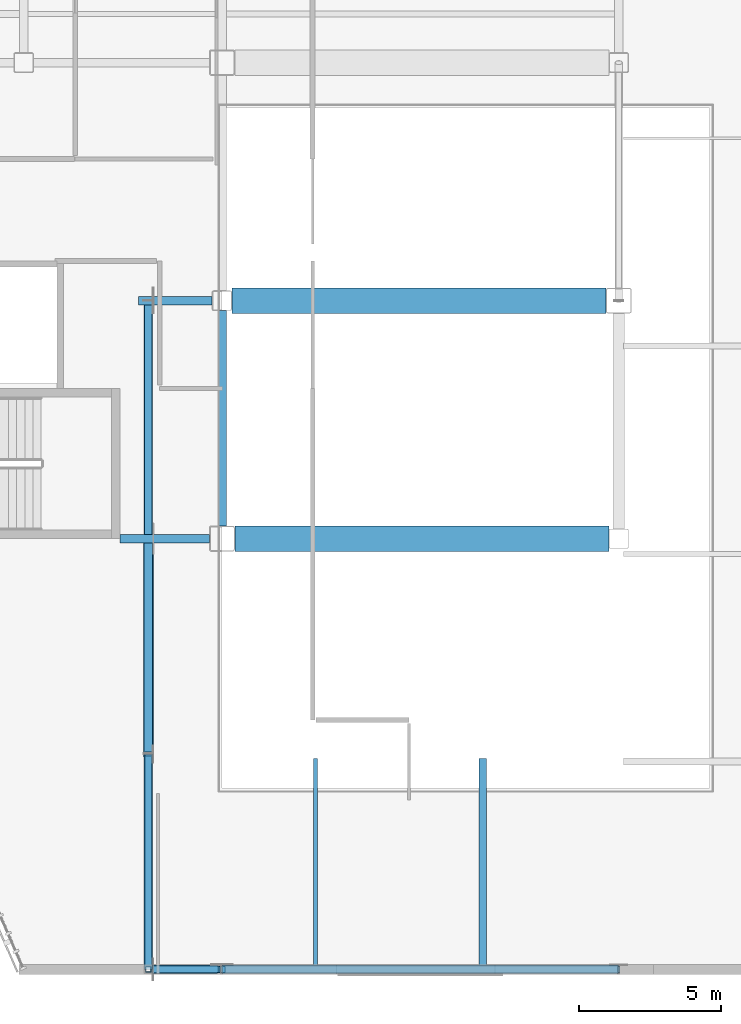
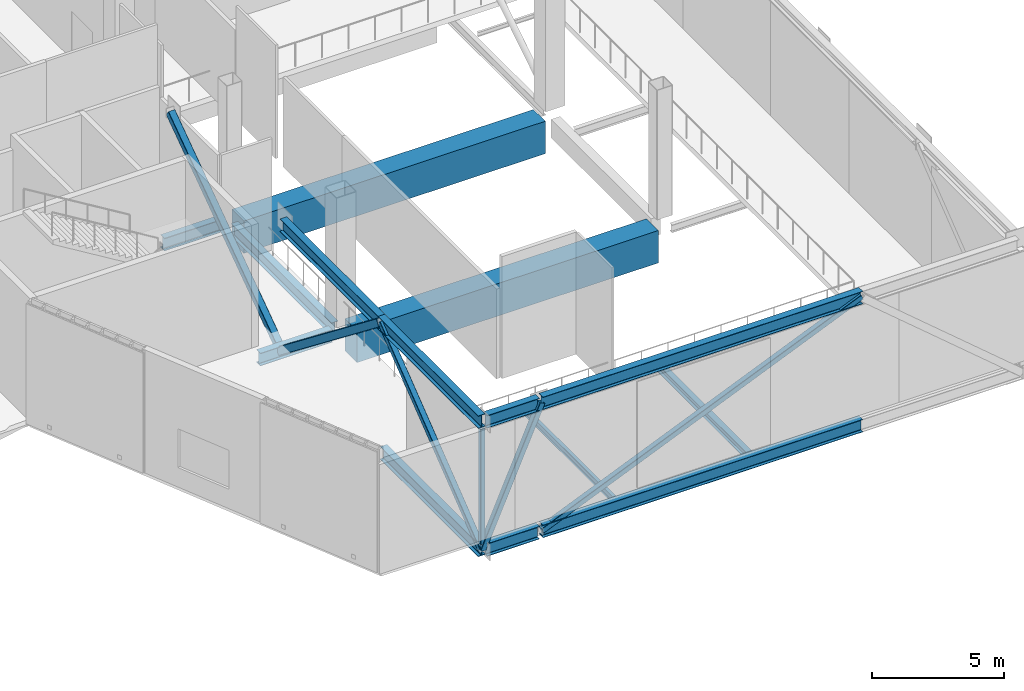
# One storey, part 20 of 135: 14 beams, 6 members.
"""IFC4 building model written with IfcOpenShell, lengths in metres."""

from ifc_helpers import new_model, si_unit, direction, frame, origin, origin_2d, place, context, subcontext, project, spatial, rectangle, hollow_rectangle, i_section, extrude, material, material_profile, profile_set, type_object, element, save


model = new_model("IFC4")

# Units and contexts
model_context = context("Model", 3, precision=1e-05, world=origin(), true_north=direction((0.0, 1.0)))
body_context = subcontext(model_context, "Body", "Model", "MODEL_VIEW")
ifc_project = project(units=[si_unit("LENGTHUNIT", "METRE"), si_unit("AREAUNIT", "SQUARE_METRE"), si_unit("VOLUMEUNIT", "CUBIC_METRE"), si_unit("PLANEANGLEUNIT", "RADIAN"), si_unit("MASSUNIT", "GRAM", prefix="KILO")], contexts=[model_context])

# Site, building, storey
site_placement = place(None, origin())
site = spatial("IfcSite", under=ifc_project, at=site_placement, CompositionType="ELEMENT")
building_placement = place(site_placement, origin())
building = spatial("IfcBuilding", under=site, at=building_placement, Name="Larkvane Passage Sports Hall", CompositionType="ELEMENT")
storey_placement = place(building_placement, frame((0.0, 0.0, 10.800048828125)))
storey = spatial("IfcBuildingStorey", under=building, at=storey_placement, Name="L02", CompositionType="ELEMENT", Elevation=10.800048828125)

# Beams
ifc_material_1 = material(Name="Steel S460N", Category="steel")
ifc_material_profile_1 = material_profile(ifc_material_1, i_section(OverallWidth=0.300048828125, OverallDepth=0.58203125, WebThickness=0.011962890625, FlangeThickness=0.01708984375, FilletRadius=0.02197265625, at=origin_2d()), Name="H-582x300x12x17")
ifc_profile_set_1 = profile_set([ifc_material_profile_1], Name="Steel S460N")
beam_type_1 = type_object("IfcBeamType", Name="BM-STL-H582", PredefinedType="BEAM", material=ifc_profile_set_1)
beam_1_placement = place(storey_placement, frame((131.60009765625, 23.25, -0.7109375), z_axis=(0.0, 1.0, 0.0), x_axis=(-1.0, 0.0, 0.0)))
element("IfcBeam", 1, at=beam_1_placement, inside=storey, type_object=beam_type_1, Name="Girder BM5-Y-L02-18-0785", PredefinedType="BEAM", context=body_context, shape_type="SweptSolid", body=[
    extrude(i_section(OverallWidth=0.300048828125, OverallDepth=0.58203125, WebThickness=0.011962890625, FlangeThickness=0.01708984375, FilletRadius=0.02197265625, at=origin_2d()), origin(), (0.0, 0.0, 1.0), 7.60009765625),
])
ifc_material_profile_2 = material_profile(ifc_material_1, i_section(OverallWidth=0.300048828125, OverallDepth=0.587890625, WebThickness=0.011962890625, FlangeThickness=0.02001953125, FilletRadius=0.02197265625, at=origin_2d()), Name="H-588x300x12x20")
ifc_profile_set_2 = profile_set([ifc_material_profile_2], Name="Steel S460N")
beam_type_2 = type_object("IfcBeamType", Name="BM-STL-H588", PredefinedType="BEAM", material=ifc_profile_set_2)
for number, where, z_axis, x_axis, name in (
    (2, (131.60009765625, 7.60009765625, -0.5439453125), (1.0, 0.0, 0.0), (0.0, 1.0, 0.0), "Cantilever truss CT-E2A-1 bottom chord 1"),
    (3, (131.60009765625, 7.60009765625, 5.385986328125), (1.0, 0.0, 0.0), (0.0, 1.0, 0.0), "Cantilever truss CT-E2A-1 top chord 1"),
):
    element("IfcBeam", number, at=place(storey_placement, frame(where, z_axis=z_axis, x_axis=x_axis)), inside=storey, type_object=beam_type_2, Name=name, PredefinedType="BEAM", context=body_context, shape_type="SweptSolid", body=[
        extrude(i_section(OverallWidth=0.300048828125, OverallDepth=0.587890625, WebThickness=0.011962890625, FlangeThickness=0.02001953125, FilletRadius=0.02197265625, at=origin_2d()), origin(), (0.0, 0.0, 1.0), 14.0),
    ])
beam_2_placement = place(storey_placement, frame((128.0, 22.800048828125, -0.5439453125), z_axis=(1.0, 0.0, 0.0), x_axis=(0.0, 1.0, 0.0)))
element("IfcBeam", 4, at=beam_2_placement, inside=storey, type_object=beam_type_2, Name="East court cantilever anchor girder L02-D", PredefinedType="BEAM", context=body_context, shape_type="SweptSolid", body=[
    extrude(i_section(OverallWidth=0.300048828125, OverallDepth=0.587890625, WebThickness=0.011962890625, FlangeThickness=0.02001953125, FilletRadius=0.02197265625, at=origin_2d()), origin(), (0.0, 0.0, 1.0), 3.14990234375),
])
beam_3_placement = place(storey_placement, frame((128.64990234375, 31.199951171875, -0.5439453125), z_axis=(1.0, 0.0, 0.0), x_axis=(0.0, 1.0, 0.0)))
element("IfcBeam", 5, at=beam_3_placement, inside=storey, type_object=beam_type_2, Name="East court cantilever anchor girder L02-E", PredefinedType="BEAM", context=body_context, shape_type="SweptSolid", body=[
    extrude(i_section(OverallWidth=0.300048828125, OverallDepth=0.587890625, WebThickness=0.011962890625, FlangeThickness=0.02001953125, FilletRadius=0.02197265625, at=origin_2d()), origin(), (0.0, 0.0, 1.0), 2.60009765625),
])
for number, where, z_axis, x_axis, name in (
    (6, (129.155029296875, 7.60009765625, -0.5439453125), (1.0, 0.0, 0.0), (0.0, 1.0, 0.0), "East corner cantilever link bottom chord CT-CN2"),
    (7, (129.155029296875, 7.60009765625, 5.385986328125), (1.0, 0.0, 0.0), (0.0, 1.0, 0.0), "East corner cantilever link top chord CT-CN2"),
):
    element("IfcBeam", number, at=place(storey_placement, frame(where, z_axis=z_axis, x_axis=x_axis)), inside=storey, type_object=beam_type_2, Name=name, PredefinedType="BEAM", context=body_context, shape_type="SweptSolid", body=[
        extrude(i_section(OverallWidth=0.300048828125, OverallDepth=0.587890625, WebThickness=0.011962890625, FlangeThickness=0.02001953125, FilletRadius=0.02197265625, at=origin_2d()), origin(), (0.0, 0.0, 1.0), 2.2900390625),
    ])
beam_4_placement = place(storey_placement, frame((129.0, 7.60009765625, -0.5439453125), z_axis=(0.0, 1.0, 0.0), x_axis=(-1.0, 0.0, 0.0)))
element("IfcBeam", 8, at=beam_4_placement, inside=storey, type_object=beam_type_2, Name="Cantilever truss CT-S2A-1 bottom chord 1", PredefinedType="BEAM", context=body_context, shape_type="SweptSolid", body=[
    extrude(i_section(OverallWidth=0.300048828125, OverallDepth=0.587890625, WebThickness=0.011962890625, FlangeThickness=0.02001953125, FilletRadius=0.02197265625, at=origin_2d()), origin(), (0.0, 0.0, 1.0), 7.44482421875),
])
beam_5_placement = place(storey_placement, frame((129.0, 7.60009765625, 5.385986328125), z_axis=(0.0, 1.0, 0.0), x_axis=(-1.0, 0.0, 0.0)))
element("IfcBeam", 9, at=beam_5_placement, inside=storey, type_object=beam_type_2, Name="Cantilever truss CT-S2A-1 top chord 1", PredefinedType="BEAM", context=body_context, shape_type="SweptSolid", body=[
    extrude(i_section(OverallWidth=0.300048828125, OverallDepth=0.587890625, WebThickness=0.011962890625, FlangeThickness=0.02001953125, FilletRadius=0.02197265625, at=origin_2d()), origin(), (0.0, 0.0, 1.0), 7.599853515625),
])
beam_6_placement = place(storey_placement, frame((129.0, 15.199951171875, 5.385986328125), z_axis=(0.0, 1.0, 0.0), x_axis=(-1.0, 0.0, 0.0)))
element("IfcBeam", 10, at=beam_6_placement, inside=storey, type_object=beam_type_2, Name="Cantilever truss CT-S2A-1 top chord 2", PredefinedType="BEAM", context=body_context, shape_type="SweptSolid", body=[
    extrude(i_section(OverallWidth=0.300048828125, OverallDepth=0.587890625, WebThickness=0.011962890625, FlangeThickness=0.02001953125, FilletRadius=0.02197265625, at=origin_2d()), origin(), (0.0, 0.0, 1.0), 7.445068359375),
])
ifc_material_2 = material(Name="Steel S355JR", Category="steel")
ifc_material_profile_3 = material_profile(ifc_material_2, i_section(OverallWidth=0.14990234375, OverallDepth=0.300048828125, WebThickness=0.006591796875, FlangeThickness=0.009033203125, FilletRadius=0.012939453125, at=origin_2d()), Name="H-300x150x6.5x9")
ifc_profile_set_3 = profile_set([ifc_material_profile_3], Name="Steel S355JR")
beam_type_3 = type_object("IfcBeamType", Name="JST-STL-H300", PredefinedType="JOIST", material=ifc_profile_set_3)
beam_7_placement = place(storey_placement, frame((134.89990234375, 7.760009765625, -0.400146484375), z_axis=(0.0, 1.0, 0.0), x_axis=(-1.0, 0.0, 0.0)))
element("IfcBeam", 11, at=beam_7_placement, inside=storey, type_object=beam_type_3, Name="Cantilever floor joist CT-S2A--1-1", PredefinedType="JOIST", context=body_context, shape_type="SweptSolid", body=[
    extrude(i_section(OverallWidth=0.14990234375, OverallDepth=0.300048828125, WebThickness=0.006591796875, FlangeThickness=0.009033203125, FilletRadius=0.012939453125, at=origin_2d()), origin(), (0.0, 0.0, 1.0), 7.280029296875),
])
ifc_material_profile_4 = material_profile(ifc_material_2, i_section(OverallWidth=0.25, OverallDepth=0.340087890625, WebThickness=0.009033203125, FlangeThickness=0.013916015625, FilletRadius=0.012939453125, at=origin_2d()), Name="H-340x250x9x14")
ifc_profile_set_4 = profile_set([ifc_material_profile_4], Name="Steel S355JR")
beam_type_4 = type_object("IfcBeamType", Name="JST-STL-H340", PredefinedType="JOIST", material=ifc_profile_set_4)
beam_8_placement = place(storey_placement, frame((140.800048828125, 7.760009765625, -0.420166015625), z_axis=(0.0, 1.0, 0.0), x_axis=(-1.0, 0.0, 0.0)))
element("IfcBeam", 12, at=beam_8_placement, inside=storey, type_object=beam_type_4, Name="Cantilever floor joist CT-S2A--1-2", PredefinedType="JOIST", context=body_context, shape_type="SweptSolid", body=[
    extrude(i_section(OverallWidth=0.25, OverallDepth=0.340087890625, WebThickness=0.009033203125, FlangeThickness=0.013916015625, FilletRadius=0.012939453125, at=origin_2d()), origin(), (0.0, 0.0, 1.0), 7.280029296875),
])

# Members
ifc_material_profile_5 = material_profile(ifc_material_1, hollow_rectangle(XDim=0.25, YDim=0.25, WallThickness=0.011962890625, InnerFilletRadius=0.011962890625, OuterFilletRadius=0.02392578125, at=origin_2d()), Name="SHS-250x250x12")
ifc_profile_set_5 = profile_set([ifc_material_profile_5], Name="Steel S460N")
member_type_1 = type_object("IfcMemberType", Name="MBR-BR-SHS250", PredefinedType="BRACE", material=ifc_profile_set_5)
member_1_placement = place(storey_placement, frame((131.60009765625, 7.60009765625, -0.5439453125), z_axis=(0.920805387112, 0.0, 0.390022357135), x_axis=(0.0, 1.0, 0.0)))
element("IfcMember", 13, at=member_1_placement, inside=storey, type_object=member_type_1, Name="Cantilever truss CT-E2A-1 web diagonal 1", PredefinedType="BRACE", context=body_context, shape_type="SweptSolid", body=[
    extrude(hollow_rectangle(XDim=0.25, YDim=0.25, WallThickness=0.011962890625, InnerFilletRadius=0.011962890625, OuterFilletRadius=0.02392578125, at=origin_2d()), origin(), (0.0, 0.0, 1.0), 15.2041015625),
])
member_2_placement = place(storey_placement, frame((129.0, 7.60009765625, -0.5439453125), z_axis=(0.401564406318, 0.0, 0.91583078545), x_axis=(0.0, 1.0, 0.0)))
element("IfcMember", 14, at=member_2_placement, inside=storey, type_object=member_type_1, Name="East corner cantilever link web diagonal CT-CN2", PredefinedType="BRACE", context=body_context, shape_type="SweptSolid", body=[
    extrude(hollow_rectangle(XDim=0.25, YDim=0.25, WallThickness=0.011962890625, InnerFilletRadius=0.011962890625, OuterFilletRadius=0.02392578125, at=origin_2d()), origin(), (0.0, 0.0, 1.0), 6.474853515625),
])
member_3_placement = place(storey_placement, frame((129.0, 7.60009765625, -0.5439453125), z_axis=(0.0, 0.788399368844, 0.615163746662), x_axis=(-1.0, 0.0, 0.0)))
element("IfcMember", 15, at=member_3_placement, inside=storey, type_object=member_type_1, Name="Cantilever truss CT-S2A-1 web diagonal 1", PredefinedType="BRACE", context=body_context, shape_type="SweptSolid", body=[
    extrude(hollow_rectangle(XDim=0.25, YDim=0.25, WallThickness=0.011962890625, InnerFilletRadius=0.011962890625, OuterFilletRadius=0.02392578125, at=origin_2d()), origin(), (0.0, 0.0, 1.0), 9.6396484375),
])
ifc_material_profile_6 = material_profile(ifc_material_1, hollow_rectangle(XDim=0.300048828125, YDim=0.300048828125, WallThickness=0.011962890625, InnerFilletRadius=0.011962890625, OuterFilletRadius=0.02392578125, at=origin_2d()), Name="SHS-300x300x12")
ifc_profile_set_6 = profile_set([ifc_material_profile_6], Name="Steel S460N")
member_type_2 = type_object("IfcMemberType", Name="MBR-BR-SHS300", PredefinedType="BRACE", material=ifc_profile_set_6)
member_4_placement = place(storey_placement, frame((129.0, 22.800048828125, -0.5439453125), z_axis=(0.0, 0.816940882886, 0.576721417904), x_axis=(-1.0, 0.0, 0.0)))
element("IfcMember", 16, at=member_4_placement, inside=storey, type_object=member_type_2, Name="Cantilever truss CT-S2A-1 web diagonal 3", PredefinedType="BRACE", context=body_context, shape_type="SweptSolid", body=[
    extrude(hollow_rectangle(XDim=0.300048828125, YDim=0.300048828125, WallThickness=0.011962890625, InnerFilletRadius=0.011962890625, OuterFilletRadius=0.02392578125, at=origin_2d()), origin(), (0.0, 0.0, 1.0), 10.2822265625),
])
ifc_material_profile_7 = material_profile(ifc_material_1, hollow_rectangle(XDim=0.35009765625, YDim=0.35009765625, WallThickness=0.01611328125, InnerFilletRadius=0.01611328125, OuterFilletRadius=0.031982421875, at=origin_2d()), Name="SHS-350x350x16")
ifc_profile_set_7 = profile_set([ifc_material_profile_7], Name="Steel S460N")
member_type_3 = type_object("IfcMemberType", Name="MBR-BR-SHS350", PredefinedType="BRACE", material=ifc_profile_set_7)
member_5_placement = place(storey_placement, frame((129.0, 15.199951171875, 5.385986328125), z_axis=(0.0, 0.788408952904, -0.615151463447), x_axis=(-1.0, 0.0, 0.0)))
element("IfcMember", 17, at=member_5_placement, inside=storey, type_object=member_type_3, Name="Cantilever truss CT-S2A-1 web diagonal 2", PredefinedType="BRACE", context=body_context, shape_type="SweptSolid", body=[
    extrude(hollow_rectangle(XDim=0.35009765625, YDim=0.35009765625, WallThickness=0.01611328125, InnerFilletRadius=0.01611328125, OuterFilletRadius=0.031982421875, at=origin_2d()), origin(), (0.0, 0.0, 1.0), 9.639892578125),
])
ifc_material_profile_8 = material_profile(ifc_material_1, hollow_rectangle(XDim=0.199951171875, YDim=0.199951171875, WallThickness=0.009033203125, InnerFilletRadius=0.009033203125, OuterFilletRadius=0.01806640625, at=origin_2d()), Name="SHS-200x200x9")
ifc_profile_set_8 = profile_set([ifc_material_profile_8], Name="Steel S460N")
member_type_4 = type_object("IfcMemberType", Name="MBR-ST-SHS200", PredefinedType="STRUT", material=ifc_profile_set_8)
member_6_placement = place(storey_placement, frame((129.0, 7.60009765625, -0.25), z_axis=(0.0, 0.0, 1.0), x_axis=(1.0, 0.0, 0.0)))
element("IfcMember", 18, at=member_6_placement, inside=storey, type_object=member_type_4, Name="Cantilever truss CT-S2A-1 vertical post 1", PredefinedType="STRUT", context=body_context, shape_type="SweptSolid", body=[
    extrude(hollow_rectangle(XDim=0.199951171875, YDim=0.199951171875, WallThickness=0.009033203125, InnerFilletRadius=0.009033203125, OuterFilletRadius=0.01806640625, at=origin_2d()), origin(), (0.0, 0.0, 1.0), 5.342041015625),
])

# Beams
ifc_material_3 = material(Name="Concrete C50/60", Category="concrete")
ifc_material_profile_9 = material_profile(ifc_material_3, rectangle(XDim=0.89990234375, YDim=1.5, at=origin_2d()), Name="PT-GIR-900x1500")
ifc_profile_set_9 = profile_set([ifc_material_profile_9], Name="Concrete C50/60")
beam_type_5 = type_object("IfcBeamType", Name="PTG-900x1500", PredefinedType="BEAM", material=ifc_profile_set_9)
for number, where, z_axis, x_axis, name in (
    (19, (132.050048828125, 22.800048828125, -1.170166015625), (1.0, 0.0, 0.0), (0.0, 1.0, 0.0), "Post-tensioned transfer girder BM5-X-L02-D-0686"),
    (20, (131.949951171875, 31.199951171875, -1.170166015625), (1.0, 0.0, 0.0), (0.0, 1.0, 0.0), "Post-tensioned transfer girder BM5-X-L02-E-0691"),
):
    element("IfcBeam", number, at=place(storey_placement, frame(where, z_axis=z_axis, x_axis=x_axis)), inside=storey, type_object=beam_type_5, Name=name, PredefinedType="BEAM", context=body_context, shape_type="SweptSolid", body=[
        extrude(rectangle(XDim=0.89990234375, YDim=1.5, at=origin_2d()), origin(), (0.0, 0.0, 1.0), 13.199951171875),
    ])

save(model, "model.ifc")
